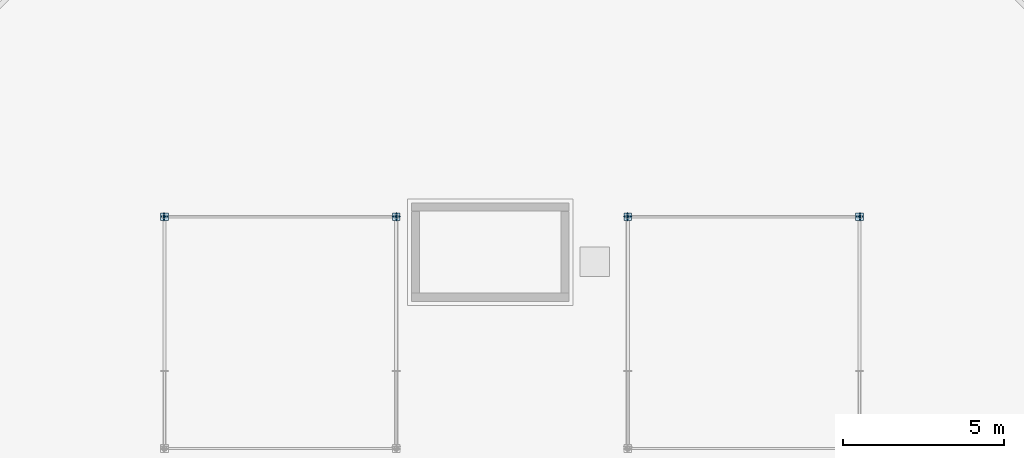
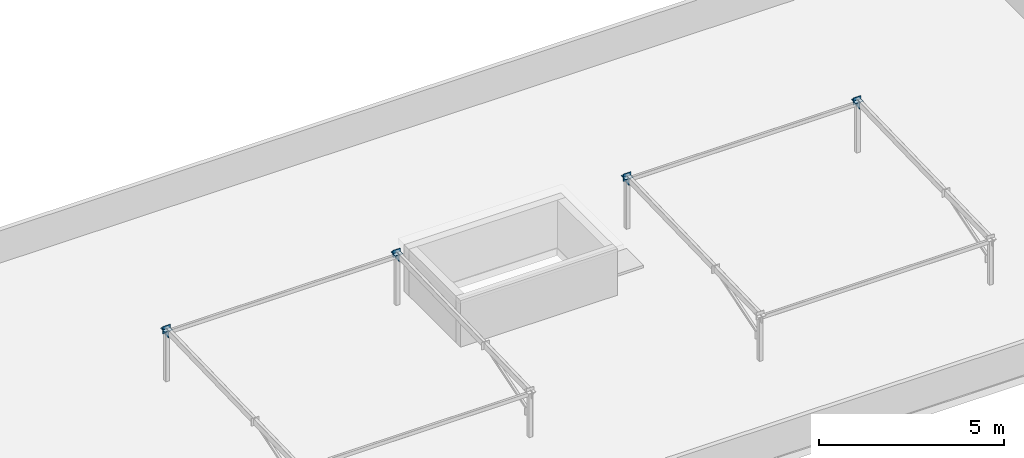
# One storey, part 20 of 43: 12 plates.
"""IFC4 building model written with IfcOpenShell, lengths in metres."""

from ifc_helpers import new_model, si_unit, direction, frame, origin, origin_2d, place, context, subcontext, project, spatial, rectangle, extrude, material, layer, layer_set, type_object, element, save


model = new_model("IFC4")

# Units and contexts
model_context = context("Model", 3, precision=1e-05, world=origin(), true_north=direction((0.0, 1.0)))
body_context = subcontext(model_context, "Body", "Model", "MODEL_VIEW")
ifc_project = project(units=[si_unit("LENGTHUNIT", "METRE"), si_unit("AREAUNIT", "SQUARE_METRE"), si_unit("VOLUMEUNIT", "CUBIC_METRE"), si_unit("PLANEANGLEUNIT", "RADIAN"), si_unit("MASSUNIT", "GRAM", prefix="KILO")], contexts=[model_context])

# Site, building, storey
site_placement = place(None, origin())
site = spatial("IfcSite", under=ifc_project, at=site_placement, CompositionType="ELEMENT")
building_placement = place(site_placement, origin())
building = spatial("IfcBuilding", under=site, at=building_placement, Name="Ochrevale Crest", CompositionType="ELEMENT")
storey_placement = place(building_placement, frame((0.0, 0.0, 30.75)))
storey = spatial("IfcBuildingStorey", under=building, at=storey_placement, Name="L09", CompositionType="ELEMENT", Elevation=30.75)

# Plates
ifc_material = material(Name="Steel S355", Category="steel")
ifc_layer = layer(ifc_material, 0.01611328125)
ifc_layer_set = layer_set([ifc_layer], Name="Steel S355")
plate_type = type_object("IfcPlateType", Name="PLT-CAP-16", PredefinedType="USERDEFINED", material=ifc_layer_set)
plate_1_placement = place(storey_placement, frame((7.199951171875, 28.800048828125, 1.719970703125), z_axis=(0.0, 0.0, 1.0), x_axis=(1.0, 0.0, 0.0)))
element("IfcPlate", 1, at=plate_1_placement, inside=storey, type_object=plate_type, Name="Block A solar-frame support post welded end cap plate CE", ObjectType="CAP PLATE", PredefinedType="USERDEFINED", context=body_context, shape_type="SweptSolid", body=[
    extrude(rectangle(XDim=0.239990234375, YDim=0.239990234375, at=origin_2d()), origin(), (0.0, 0.0, 1.0), 0.01611328125),
])
plate_2_placement = place(storey_placement, frame((7.199951171875, 28.80810546875, 1.60009765625), z_axis=(0.0, 0.0, 1.0), x_axis=(0.0, 1.0, 0.0)))
element("IfcPlate", 2, at=plate_2_placement, inside=storey, type_object=plate_type, Name="Block A solar-frame array rafter 1 welded end cap plate CE", ObjectType="CAP PLATE", PredefinedType="USERDEFINED", context=body_context, shape_type="SweptSolid", body=[
    extrude(rectangle(XDim=0.01611328125, YDim=0.239990234375, at=origin_2d()), origin(), (0.0, 0.0, 1.0), 0.239990234375),
])
plate_3_placement = place(storey_placement, frame((14.39990234375, 28.800048828125, 1.719970703125), z_axis=(0.0, 0.0, 1.0), x_axis=(1.0, 0.0, 0.0)))
element("IfcPlate", 3, at=plate_3_placement, inside=storey, type_object=plate_type, Name="Block A solar-frame support post welded end cap plate CE", ObjectType="CAP PLATE", PredefinedType="USERDEFINED", context=body_context, shape_type="SweptSolid", body=[
    extrude(rectangle(XDim=0.239990234375, YDim=0.239990234375, at=origin_2d()), origin(), (0.0, 0.0, 1.0), 0.01611328125),
])
plate_4_placement = place(storey_placement, frame((14.39990234375, 28.80810546875, 1.60009765625), z_axis=(0.0, 0.0, 1.0), x_axis=(0.0, 1.0, 0.0)))
element("IfcPlate", 4, at=plate_4_placement, inside=storey, type_object=plate_type, Name="Block A solar-frame array rafter 2 welded end cap plate CE", ObjectType="CAP PLATE", PredefinedType="USERDEFINED", context=body_context, shape_type="SweptSolid", body=[
    extrude(rectangle(XDim=0.01611328125, YDim=0.239990234375, at=origin_2d()), origin(), (0.0, 0.0, 1.0), 0.239990234375),
])
plate_5_placement = place(storey_placement, frame((21.60009765625, 28.800048828125, 1.719970703125), z_axis=(0.0, 0.0, 1.0), x_axis=(1.0, 0.0, 0.0)))
element("IfcPlate", 5, at=plate_5_placement, inside=storey, type_object=plate_type, Name="Block A solar-frame support post welded end cap plate CE", ObjectType="CAP PLATE", PredefinedType="USERDEFINED", context=body_context, shape_type="SweptSolid", body=[
    extrude(rectangle(XDim=0.239990234375, YDim=0.239990234375, at=origin_2d()), origin(), (0.0, 0.0, 1.0), 0.01611328125),
])
plate_6_placement = place(storey_placement, frame((21.60009765625, 28.80810546875, 1.60009765625), z_axis=(0.0, 0.0, 1.0), x_axis=(0.0, 1.0, 0.0)))
element("IfcPlate", 6, at=plate_6_placement, inside=storey, type_object=plate_type, Name="Block A solar-frame array rafter 3 welded end cap plate CE", ObjectType="CAP PLATE", PredefinedType="USERDEFINED", context=body_context, shape_type="SweptSolid", body=[
    extrude(rectangle(XDim=0.01611328125, YDim=0.239990234375, at=origin_2d()), origin(), (0.0, 0.0, 1.0), 0.239990234375),
])
plate_7_placement = place(storey_placement, frame((28.800048828125, 28.800048828125, 1.719970703125), z_axis=(0.0, 0.0, 1.0), x_axis=(1.0, 0.0, 0.0)))
element("IfcPlate", 7, at=plate_7_placement, inside=storey, type_object=plate_type, Name="Block A solar-frame support post welded end cap plate CE", ObjectType="CAP PLATE", PredefinedType="USERDEFINED", context=body_context, shape_type="SweptSolid", body=[
    extrude(rectangle(XDim=0.239990234375, YDim=0.239990234375, at=origin_2d()), origin(), (0.0, 0.0, 1.0), 0.01611328125),
])
for number, where, z_axis, x_axis, name in (
    (8, (28.800048828125, 28.80810546875, 1.60009765625), (0.0, 0.0, 1.0), (0.0, 1.0, 0.0), "Block A solar-frame array rafter 4 welded end cap plate CE"),
    (9, (7.19189453125, 28.800048828125, 1.5), (0.0, 0.0, 1.0), (1.0, 0.0, 0.0), "Block A solar-frame purlin W welded end cap plate CS"),
    (10, (14.407958984375, 28.800048828125, 1.5), (0.0, 0.0, 1.0), (1.0, 0.0, 0.0), "Block A solar-frame purlin W welded end cap plate CE"),
    (11, (21.592041015625, 28.800048828125, 1.5), (0.0, 0.0, 1.0), (1.0, 0.0, 0.0), "Block A solar-frame purlin E welded end cap plate CS"),
    (12, (28.80810546875, 28.800048828125, 1.5), (0.0, 0.0, 1.0), (1.0, 0.0, 0.0), "Block A solar-frame purlin E welded end cap plate CE"),
):
    element("IfcPlate", number, at=place(storey_placement, frame(where, z_axis=z_axis, x_axis=x_axis)), inside=storey, type_object=plate_type, Name=name, ObjectType="CAP PLATE", PredefinedType="USERDEFINED", context=body_context, shape_type="SweptSolid", body=[
        extrude(rectangle(XDim=0.01611328125, YDim=0.239990234375, at=origin_2d()), origin(), (0.0, 0.0, 1.0), 0.239990234375),
    ])

save(model, "model.ifc")
